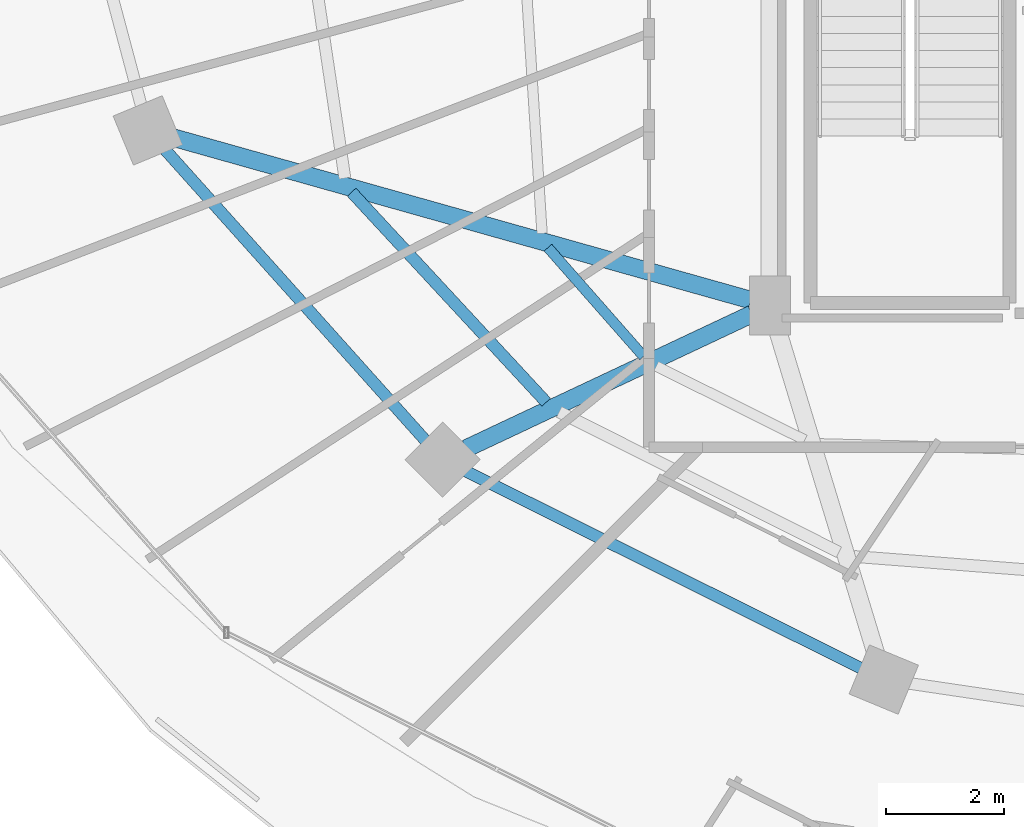
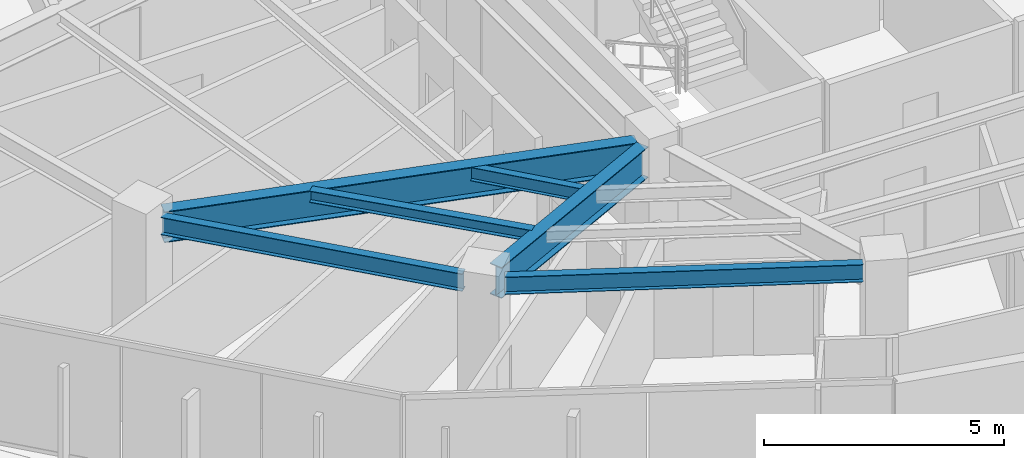
# One storey, part 4 of 33: 6 beams.
"""IFC4 building model written with IfcOpenShell, lengths in metres."""

from ifc_helpers import new_model, si_unit, direction, frame, origin, origin_2d, place, context, subcontext, project, spatial, i_section, extrude, material, material_profile, profile_set, type_object, element, save


model = new_model("IFC4")

# Units and contexts
model_context = context("Model", 3, precision=1e-05, world=origin(), true_north=direction((0.0, 1.0)))
body_context = subcontext(model_context, "Body", "Model", "MODEL_VIEW")
ifc_project = project(units=[si_unit("LENGTHUNIT", "METRE"), si_unit("AREAUNIT", "SQUARE_METRE"), si_unit("VOLUMEUNIT", "CUBIC_METRE"), si_unit("PLANEANGLEUNIT", "RADIAN"), si_unit("MASSUNIT", "GRAM", prefix="KILO")], contexts=[model_context])

# Site, building, storey
site_placement = place(None, origin())
site = spatial("IfcSite", under=ifc_project, at=site_placement, CompositionType="ELEMENT")
building_placement = place(site_placement, origin())
building = spatial("IfcBuilding", under=site, at=building_placement, Name="Vorneva Point Tower", CompositionType="ELEMENT")
storey_placement = place(building_placement, frame((0.0, 0.0, 221.39990234375)))
storey = spatial("IfcBuildingStorey", under=building, at=storey_placement, Name="L60", CompositionType="ELEMENT", Elevation=221.39990234375)

# Beams
ifc_material = material(Name="Steel S355", Category="steel")
ifc_material_profile_1 = material_profile(ifc_material, i_section(OverallWidth=0.300048828125, OverallDepth=0.7880859375, WebThickness=0.014404296875, FlangeThickness=0.02197265625, at=origin_2d()), Name="80Sh1")
ifc_profile_set_1 = profile_set([ifc_material_profile_1], Name="Steel S355")
beam_type_1 = type_object("IfcBeamType", Name="BM-GRD-80Sh1", PredefinedType="USERDEFINED", material=ifc_profile_set_1)
beam_1_placement = place(storey_placement, frame((17.126220703125, 19.299072265625, 2.80615234375), z_axis=(0.962603641144, -0.270913694847, 0.0), x_axis=(0.270913694847, 0.962603641144, 0.0)))
element("IfcBeam", 1, at=beam_1_placement, inside=storey, type_object=beam_type_1, Name="L60 Radial Primary Girder 10", ObjectType="GIRDER", PredefinedType="USERDEFINED", context=body_context, shape_type="SweptSolid", body=[
    extrude(i_section(OverallWidth=0.300048828125, OverallDepth=0.7880859375, WebThickness=0.014404296875, FlangeThickness=0.02197265625, at=origin_2d()), origin(), (0.0, 0.0, 1.0), 10.177001953125),
])
beam_2_placement = place(storey_placement, frame((22.097412109375, 14.0244140625, 2.80615234375), z_axis=(0.904762899762, 0.42591559635, 0.0), x_axis=(-0.42591559635, 0.904762899762, 0.0)))
element("IfcBeam", 2, at=beam_2_placement, inside=storey, type_object=beam_type_1, Name="L60 Radial Primary Girder 11", ObjectType="GIRDER", PredefinedType="USERDEFINED", context=body_context, shape_type="SweptSolid", body=[
    extrude(i_section(OverallWidth=0.300048828125, OverallDepth=0.7880859375, WebThickness=0.014404296875, FlangeThickness=0.02197265625, at=origin_2d()), origin(), (0.0, 0.0, 1.0), 5.35498046875),
])
ifc_material_profile_2 = material_profile(ifc_material, i_section(OverallWidth=0.199951171875, OverallDepth=0.291015625, WebThickness=0.008056640625, FlangeThickness=0.010986328125, at=origin_2d()), Name="30Sh1")
ifc_profile_set_2 = profile_set([ifc_material_profile_2], Name="Steel S355")
beam_type_2 = type_object("IfcBeamType", Name="BM-SEC-30Sh1", PredefinedType="BEAM", material=ifc_profile_set_2)
beam_3_placement = place(storey_placement, frame((20.158935546875, 18.370849609375, 3.0546875), z_axis=(0.679528381366, -0.733649220622, 0.0), x_axis=(0.733649220622, 0.679528381366, 0.0)))
element("IfcBeam", 3, at=beam_3_placement, inside=storey, type_object=beam_type_2, Name="L60 Secondary Floor Beam 1.10", PredefinedType="BEAM", context=body_context, shape_type="SweptSolid", body=[
    extrude(i_section(OverallWidth=0.199951171875, OverallDepth=0.291015625, WebThickness=0.008056640625, FlangeThickness=0.010986328125, at=origin_2d()), origin(), (0.0, 0.0, 1.0), 4.853759765625),
])
ifc_material_profile_3 = material_profile(ifc_material, i_section(OverallWidth=0.174072265625, OverallDepth=0.345947265625, WebThickness=0.006103515625, FlangeThickness=0.009033203125, at=origin_2d()), Name="35B1")
ifc_profile_set_3 = profile_set([ifc_material_profile_3], Name="Steel S355")
beam_type_3 = type_object("IfcBeamType", Name="BM-SEC-35B1", PredefinedType="BEAM", material=ifc_profile_set_3)
beam_4_placement = place(storey_placement, frame((23.487060546875, 17.430908203125, 3.027099609375), z_axis=(0.660228577695, -0.7510647277, 0.0), x_axis=(0.7510647277, 0.660228577695, 0.0)))
element("IfcBeam", 4, at=beam_4_placement, inside=storey, type_object=beam_type_3, Name="L60 Secondary Floor Beam 2.10", PredefinedType="BEAM", context=body_context, shape_type="SweptSolid", body=[
    extrude(i_section(OverallWidth=0.174072265625, OverallDepth=0.345947265625, WebThickness=0.006103515625, FlangeThickness=0.009033203125, at=origin_2d()), origin(), (0.0, 0.0, 1.0), 2.453857421875),
])
ifc_material_profile_4 = material_profile(ifc_material, i_section(OverallWidth=0.198974609375, OverallDepth=0.446044921875, WebThickness=0.008056640625, FlangeThickness=0.011962890625, at=origin_2d()), Name="45B1")
ifc_profile_set_4 = profile_set([ifc_material_profile_4], Name="Steel S355")
beam_type_4 = type_object("IfcBeamType", Name="BM-SPN-45B1", PredefinedType="SPANDREL", material=ifc_profile_set_4)
beam_5_placement = place(storey_placement, frame((16.994873046875, 19.09375, 2.97705078125), z_axis=(0.66706970547, -0.744995307397, 0.0), x_axis=(0.744995307397, 0.66706970547, 0.0)))
element("IfcBeam", 5, at=beam_5_placement, inside=storey, type_object=beam_type_4, Name="L60 Perimeter Spandrel Ring Beam 10", PredefinedType="SPANDREL", context=body_context, shape_type="SweptSolid", body=[
    extrude(i_section(OverallWidth=0.198974609375, OverallDepth=0.446044921875, WebThickness=0.008056640625, FlangeThickness=0.011962890625, at=origin_2d()), origin(), (0.0, 0.0, 1.0), 6.6201171875),
])
beam_6_placement = place(storey_placement, frame((22.090576171875, 13.643798828125, 2.97705078125), z_axis=(0.894922371084, -0.446221861559, 0.0), x_axis=(0.446221861559, 0.894922371084, 0.0)))
element("IfcBeam", 6, at=beam_6_placement, inside=storey, type_object=beam_type_4, Name="L60 Perimeter Spandrel Ring Beam 11", PredefinedType="SPANDREL", context=body_context, shape_type="SweptSolid", body=[
    extrude(i_section(OverallWidth=0.198974609375, OverallDepth=0.446044921875, WebThickness=0.008056640625, FlangeThickness=0.011962890625, at=origin_2d()), origin(), (0.0, 0.0, 1.0), 7.48583984375),
])

save(model, "model.ifc")
